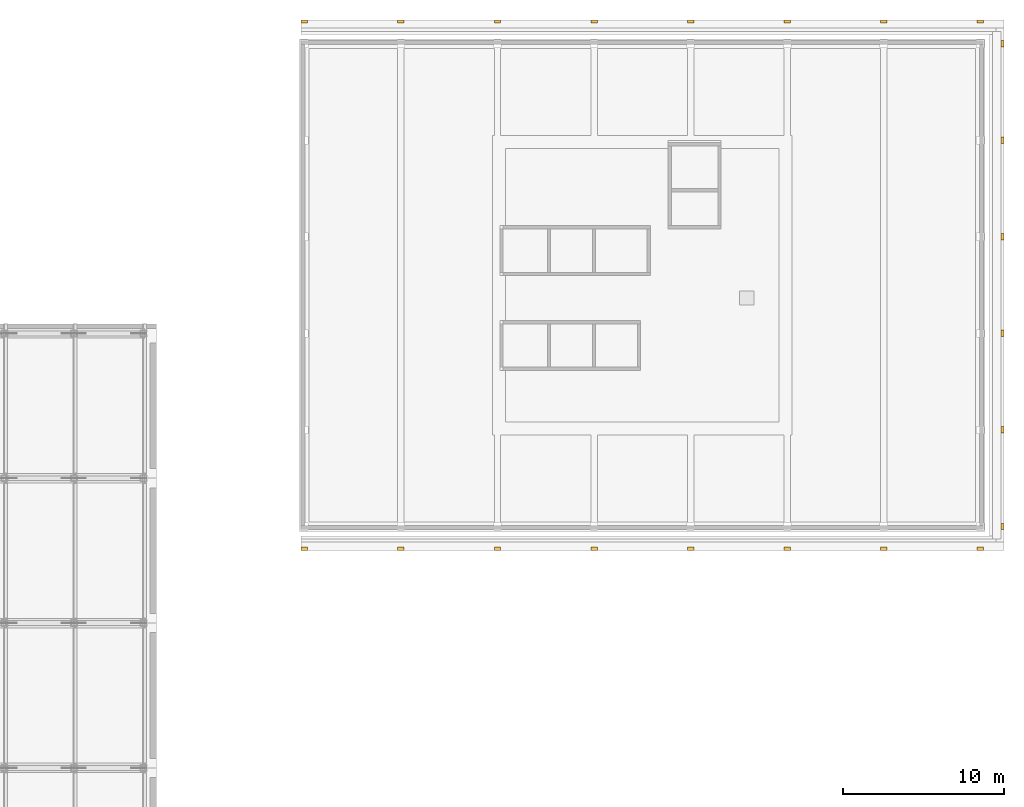
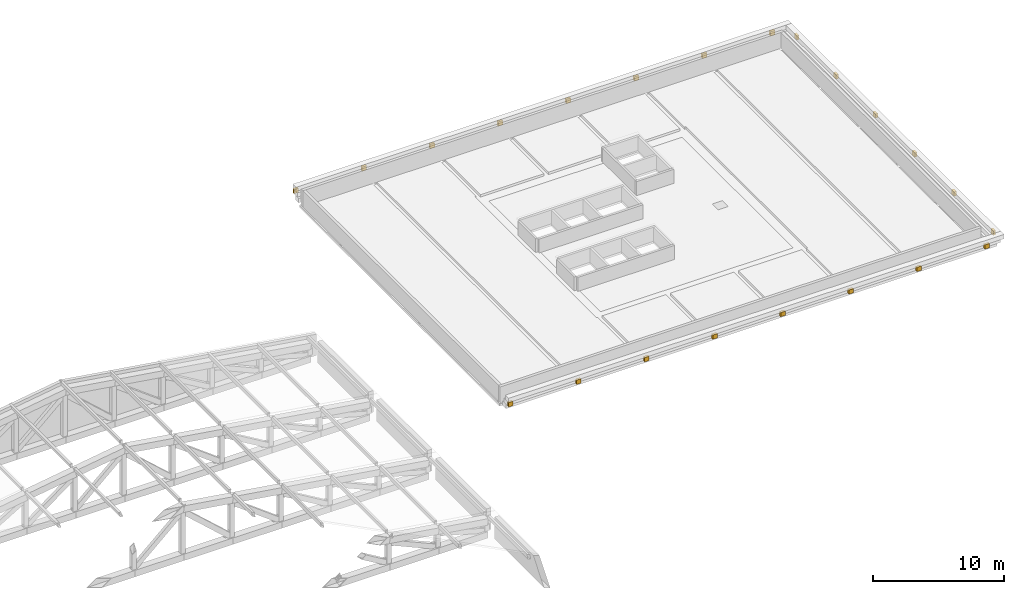
# One storey, part 32 of 32: 22 coverings.
"""IFC4 building model written with IfcOpenShell, lengths in metres."""

from ifc_helpers import new_model, si_unit, direction, frame, origin, place, context, subcontext, project, spatial, polyline, outline, extrude, material, layer, layer_set, type_object, element, save


model = new_model("IFC4")

# Units and contexts
model_context = context("Model", 3, precision=1e-05, world=origin(), true_north=direction((0.0, 1.0)))
body_context = subcontext(model_context, "Body", "Model", "MODEL_VIEW")
ifc_project = project(units=[si_unit("LENGTHUNIT", "METRE"), si_unit("AREAUNIT", "SQUARE_METRE"), si_unit("VOLUMEUNIT", "CUBIC_METRE"), si_unit("PLANEANGLEUNIT", "RADIAN"), si_unit("MASSUNIT", "GRAM", prefix="KILO")], contexts=[model_context])

# Site, building, storey
site_placement = place(None, origin())
site = spatial("IfcSite", under=ifc_project, at=site_placement, CompositionType="ELEMENT")
building_placement = place(site_placement, origin())
building = spatial("IfcBuilding", under=site, at=building_placement, Name="Aravalli Gate Trade Fair Centre", CompositionType="ELEMENT")
storey_placement = place(building_placement, frame((0.0, 0.0, 23.39990234375)))
storey = spatial("IfcBuildingStorey", under=building, at=storey_placement, Name="ROOF LEVEL 1", CompositionType="ELEMENT", Elevation=23.39990234375)

# Coverings
ifc_material = material(Name="Glazed terracotta", Category="masonry")
ifc_layer = layer(ifc_material, 0.199951171875)
ifc_layer_set = layer_set([ifc_layer], Name="Glazed terracotta")
covering_type = type_object("IfcCoveringType", Name="Wing cornice corbel", PredefinedType="MOLDING", material=ifc_layer_set)
covering_1_placement = place(storey_placement, frame((0.0, 0.0, 0.400146484375)))
element("IfcCovering", 1, at=covering_1_placement, inside=storey, type_object=covering_type, Name="Cornice corbel 18T1 S", PredefinedType="MOLDING", context=body_context, shape_type="SweptSolid", body=[
    extrude(outline(polyline([(159.800048828125, 95.52490234375), (160.199951171875, 95.52490234375), (160.199951171875, 95.72509765625), (159.800048828125, 95.72509765625), (159.800048828125, 95.52490234375)])), origin(), (0.0, 0.0, 1.0), 0.39990234375),
])
covering_2_placement = place(storey_placement, frame((0.0, 0.0, 0.400146484375)))
element("IfcCovering", 2, at=covering_2_placement, inside=storey, type_object=covering_type, Name="Cornice corbel 18T4 N", PredefinedType="MOLDING", context=body_context, shape_type="SweptSolid", body=[
    extrude(outline(polyline([(159.800048828125, 128.27490234375), (160.199951171875, 128.27490234375), (160.199951171875, 128.47509765625), (159.800048828125, 128.47509765625), (159.800048828125, 128.27490234375)])), origin(), (0.0, 0.0, 1.0), 0.39990234375),
])
covering_3_placement = place(storey_placement, frame((0.0, 0.0, 0.400146484375)))
element("IfcCovering", 3, at=covering_3_placement, inside=storey, type_object=covering_type, Name="Cornice corbel 25T1 S", PredefinedType="MOLDING", context=body_context, shape_type="SweptSolid", body=[
    extrude(outline(polyline([(201.800048828125, 95.52490234375), (202.199951171875, 95.52490234375), (202.199951171875, 95.72509765625), (201.800048828125, 95.72509765625), (201.800048828125, 95.52490234375)])), origin(), (0.0, 0.0, 1.0), 0.39990234375),
])
covering_4_placement = place(storey_placement, frame((0.0, 0.0, 0.400146484375)))
element("IfcCovering", 4, at=covering_4_placement, inside=storey, type_object=covering_type, Name="Cornice corbel 25T1 E", PredefinedType="MOLDING", context=body_context, shape_type="SweptSolid", body=[
    extrude(outline(polyline([(203.27490234375, 96.800048828125), (203.47509765625, 96.800048828125), (203.47509765625, 97.199951171875), (203.27490234375, 97.199951171875), (203.27490234375, 96.800048828125)])), origin(), (0.0, 0.0, 1.0), 0.39990234375),
])
covering_5_placement = place(storey_placement, frame((0.0, 0.0, 0.400146484375)))
element("IfcCovering", 5, at=covering_5_placement, inside=storey, type_object=covering_type, Name="Cornice corbel 25T2 E", PredefinedType="MOLDING", context=body_context, shape_type="SweptSolid", body=[
    extrude(outline(polyline([(203.27490234375, 102.800048828125), (203.47509765625, 102.800048828125), (203.47509765625, 103.199951171875), (203.27490234375, 103.199951171875), (203.27490234375, 102.800048828125)])), origin(), (0.0, 0.0, 1.0), 0.39990234375),
])
covering_6_placement = place(storey_placement, frame((0.0, 0.0, 0.400146484375)))
element("IfcCovering", 6, at=covering_6_placement, inside=storey, type_object=covering_type, Name="Cornice corbel 25H E", PredefinedType="MOLDING", context=body_context, shape_type="SweptSolid", body=[
    extrude(outline(polyline([(203.27490234375, 108.800048828125), (203.47509765625, 108.800048828125), (203.47509765625, 109.199951171875), (203.27490234375, 109.199951171875), (203.27490234375, 108.800048828125)])), origin(), (0.0, 0.0, 1.0), 0.39990234375),
])
covering_7_placement = place(storey_placement, frame((0.0, 0.0, 0.400146484375)))
element("IfcCovering", 7, at=covering_7_placement, inside=storey, type_object=covering_type, Name="Cornice corbel 25T3 E", PredefinedType="MOLDING", context=body_context, shape_type="SweptSolid", body=[
    extrude(outline(polyline([(203.27490234375, 114.800048828125), (203.47509765625, 114.800048828125), (203.47509765625, 115.199951171875), (203.27490234375, 115.199951171875), (203.27490234375, 114.800048828125)])), origin(), (0.0, 0.0, 1.0), 0.39990234375),
])
covering_8_placement = place(storey_placement, frame((0.0, 0.0, 0.400146484375)))
element("IfcCovering", 8, at=covering_8_placement, inside=storey, type_object=covering_type, Name="Cornice corbel 25J E", PredefinedType="MOLDING", context=body_context, shape_type="SweptSolid", body=[
    extrude(outline(polyline([(203.27490234375, 120.800048828125), (203.47509765625, 120.800048828125), (203.47509765625, 121.199951171875), (203.27490234375, 121.199951171875), (203.27490234375, 120.800048828125)])), origin(), (0.0, 0.0, 1.0), 0.39990234375),
])
covering_9_placement = place(storey_placement, frame((0.0, 0.0, 0.400146484375)))
element("IfcCovering", 9, at=covering_9_placement, inside=storey, type_object=covering_type, Name="Cornice corbel 25T4 N", PredefinedType="MOLDING", context=body_context, shape_type="SweptSolid", body=[
    extrude(outline(polyline([(201.800048828125, 128.27490234375), (202.199951171875, 128.27490234375), (202.199951171875, 128.47509765625), (201.800048828125, 128.47509765625), (201.800048828125, 128.27490234375)])), origin(), (0.0, 0.0, 1.0), 0.39990234375),
])
covering_10_placement = place(storey_placement, frame((0.0, 0.0, 0.400146484375)))
element("IfcCovering", 10, at=covering_10_placement, inside=storey, type_object=covering_type, Name="Cornice corbel 25T4 E", PredefinedType="MOLDING", context=body_context, shape_type="SweptSolid", body=[
    extrude(outline(polyline([(203.27490234375, 126.800048828125), (203.47509765625, 126.800048828125), (203.47509765625, 127.199951171875), (203.27490234375, 127.199951171875), (203.27490234375, 126.800048828125)])), origin(), (0.0, 0.0, 1.0), 0.39990234375),
])
covering_11_placement = place(storey_placement, frame((0.0, 0.0, 0.400146484375)))
element("IfcCovering", 11, at=covering_11_placement, inside=storey, type_object=covering_type, Name="Cornice corbel 19T1 S", PredefinedType="MOLDING", context=body_context, shape_type="SweptSolid", body=[
    extrude(outline(polyline([(165.800048828125, 95.52490234375), (166.199951171875, 95.52490234375), (166.199951171875, 95.72509765625), (165.800048828125, 95.72509765625), (165.800048828125, 95.52490234375)])), origin(), (0.0, 0.0, 1.0), 0.39990234375),
])
covering_12_placement = place(storey_placement, frame((0.0, 0.0, 0.400146484375)))
element("IfcCovering", 12, at=covering_12_placement, inside=storey, type_object=covering_type, Name="Cornice corbel 20T1 S", PredefinedType="MOLDING", context=body_context, shape_type="SweptSolid", body=[
    extrude(outline(polyline([(171.800048828125, 95.52490234375), (172.199951171875, 95.52490234375), (172.199951171875, 95.72509765625), (171.800048828125, 95.72509765625), (171.800048828125, 95.52490234375)])), origin(), (0.0, 0.0, 1.0), 0.39990234375),
])
covering_13_placement = place(storey_placement, frame((0.0, 0.0, 0.400146484375)))
element("IfcCovering", 13, at=covering_13_placement, inside=storey, type_object=covering_type, Name="Cornice corbel 21T1 S", PredefinedType="MOLDING", context=body_context, shape_type="SweptSolid", body=[
    extrude(outline(polyline([(177.800048828125, 95.52490234375), (178.199951171875, 95.52490234375), (178.199951171875, 95.72509765625), (177.800048828125, 95.72509765625), (177.800048828125, 95.52490234375)])), origin(), (0.0, 0.0, 1.0), 0.39990234375),
])
covering_14_placement = place(storey_placement, frame((0.0, 0.0, 0.400146484375)))
element("IfcCovering", 14, at=covering_14_placement, inside=storey, type_object=covering_type, Name="Cornice corbel 22T1 S", PredefinedType="MOLDING", context=body_context, shape_type="SweptSolid", body=[
    extrude(outline(polyline([(183.800048828125, 95.52490234375), (184.199951171875, 95.52490234375), (184.199951171875, 95.72509765625), (183.800048828125, 95.72509765625), (183.800048828125, 95.52490234375)])), origin(), (0.0, 0.0, 1.0), 0.39990234375),
])
covering_15_placement = place(storey_placement, frame((0.0, 0.0, 0.400146484375)))
element("IfcCovering", 15, at=covering_15_placement, inside=storey, type_object=covering_type, Name="Cornice corbel 23T1 S", PredefinedType="MOLDING", context=body_context, shape_type="SweptSolid", body=[
    extrude(outline(polyline([(189.800048828125, 95.52490234375), (190.199951171875, 95.52490234375), (190.199951171875, 95.72509765625), (189.800048828125, 95.72509765625), (189.800048828125, 95.52490234375)])), origin(), (0.0, 0.0, 1.0), 0.39990234375),
])
covering_16_placement = place(storey_placement, frame((0.0, 0.0, 0.400146484375)))
element("IfcCovering", 16, at=covering_16_placement, inside=storey, type_object=covering_type, Name="Cornice corbel 24T1 S", PredefinedType="MOLDING", context=body_context, shape_type="SweptSolid", body=[
    extrude(outline(polyline([(195.800048828125, 95.52490234375), (196.199951171875, 95.52490234375), (196.199951171875, 95.72509765625), (195.800048828125, 95.72509765625), (195.800048828125, 95.52490234375)])), origin(), (0.0, 0.0, 1.0), 0.39990234375),
])
covering_17_placement = place(storey_placement, frame((0.0, 0.0, 0.400146484375)))
element("IfcCovering", 17, at=covering_17_placement, inside=storey, type_object=covering_type, Name="Cornice corbel 19T4 N", PredefinedType="MOLDING", context=body_context, shape_type="SweptSolid", body=[
    extrude(outline(polyline([(165.800048828125, 128.27490234375), (166.199951171875, 128.27490234375), (166.199951171875, 128.47509765625), (165.800048828125, 128.47509765625), (165.800048828125, 128.27490234375)])), origin(), (0.0, 0.0, 1.0), 0.39990234375),
])
covering_18_placement = place(storey_placement, frame((0.0, 0.0, 0.400146484375)))
element("IfcCovering", 18, at=covering_18_placement, inside=storey, type_object=covering_type, Name="Cornice corbel 20T4 N", PredefinedType="MOLDING", context=body_context, shape_type="SweptSolid", body=[
    extrude(outline(polyline([(171.800048828125, 128.27490234375), (172.199951171875, 128.27490234375), (172.199951171875, 128.47509765625), (171.800048828125, 128.47509765625), (171.800048828125, 128.27490234375)])), origin(), (0.0, 0.0, 1.0), 0.39990234375),
])
covering_19_placement = place(storey_placement, frame((0.0, 0.0, 0.400146484375)))
element("IfcCovering", 19, at=covering_19_placement, inside=storey, type_object=covering_type, Name="Cornice corbel 21T4 N", PredefinedType="MOLDING", context=body_context, shape_type="SweptSolid", body=[
    extrude(outline(polyline([(177.800048828125, 128.27490234375), (178.199951171875, 128.27490234375), (178.199951171875, 128.47509765625), (177.800048828125, 128.47509765625), (177.800048828125, 128.27490234375)])), origin(), (0.0, 0.0, 1.0), 0.39990234375),
])
covering_20_placement = place(storey_placement, frame((0.0, 0.0, 0.400146484375)))
element("IfcCovering", 20, at=covering_20_placement, inside=storey, type_object=covering_type, Name="Cornice corbel 22T4 N", PredefinedType="MOLDING", context=body_context, shape_type="SweptSolid", body=[
    extrude(outline(polyline([(183.800048828125, 128.27490234375), (184.199951171875, 128.27490234375), (184.199951171875, 128.47509765625), (183.800048828125, 128.47509765625), (183.800048828125, 128.27490234375)])), origin(), (0.0, 0.0, 1.0), 0.39990234375),
])
covering_21_placement = place(storey_placement, frame((0.0, 0.0, 0.400146484375)))
element("IfcCovering", 21, at=covering_21_placement, inside=storey, type_object=covering_type, Name="Cornice corbel 23T4 N", PredefinedType="MOLDING", context=body_context, shape_type="SweptSolid", body=[
    extrude(outline(polyline([(189.800048828125, 128.27490234375), (190.199951171875, 128.27490234375), (190.199951171875, 128.47509765625), (189.800048828125, 128.47509765625), (189.800048828125, 128.27490234375)])), origin(), (0.0, 0.0, 1.0), 0.39990234375),
])
covering_22_placement = place(storey_placement, frame((0.0, 0.0, 0.400146484375)))
element("IfcCovering", 22, at=covering_22_placement, inside=storey, type_object=covering_type, Name="Cornice corbel 24T4 N", PredefinedType="MOLDING", context=body_context, shape_type="SweptSolid", body=[
    extrude(outline(polyline([(195.800048828125, 128.27490234375), (196.199951171875, 128.27490234375), (196.199951171875, 128.47509765625), (195.800048828125, 128.47509765625), (195.800048828125, 128.27490234375)])), origin(), (0.0, 0.0, 1.0), 0.39990234375),
])

save(model, "model.ifc")
